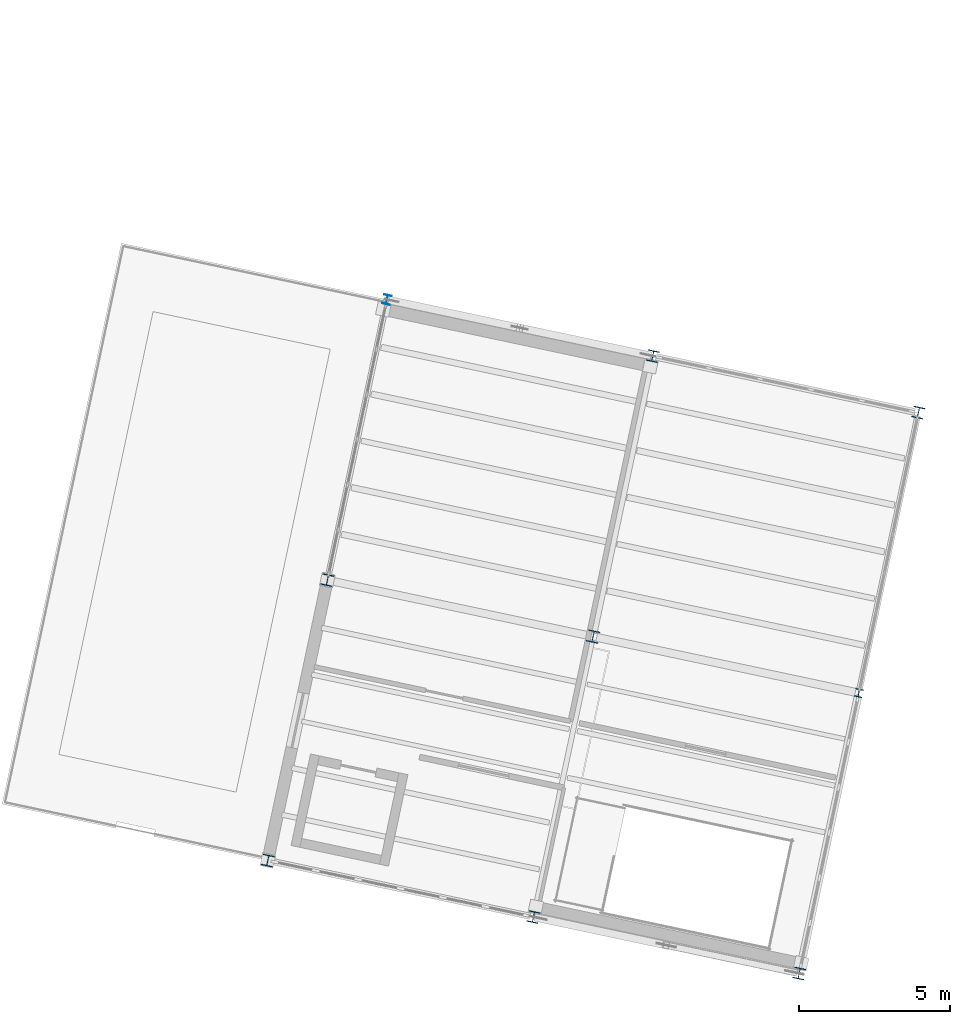
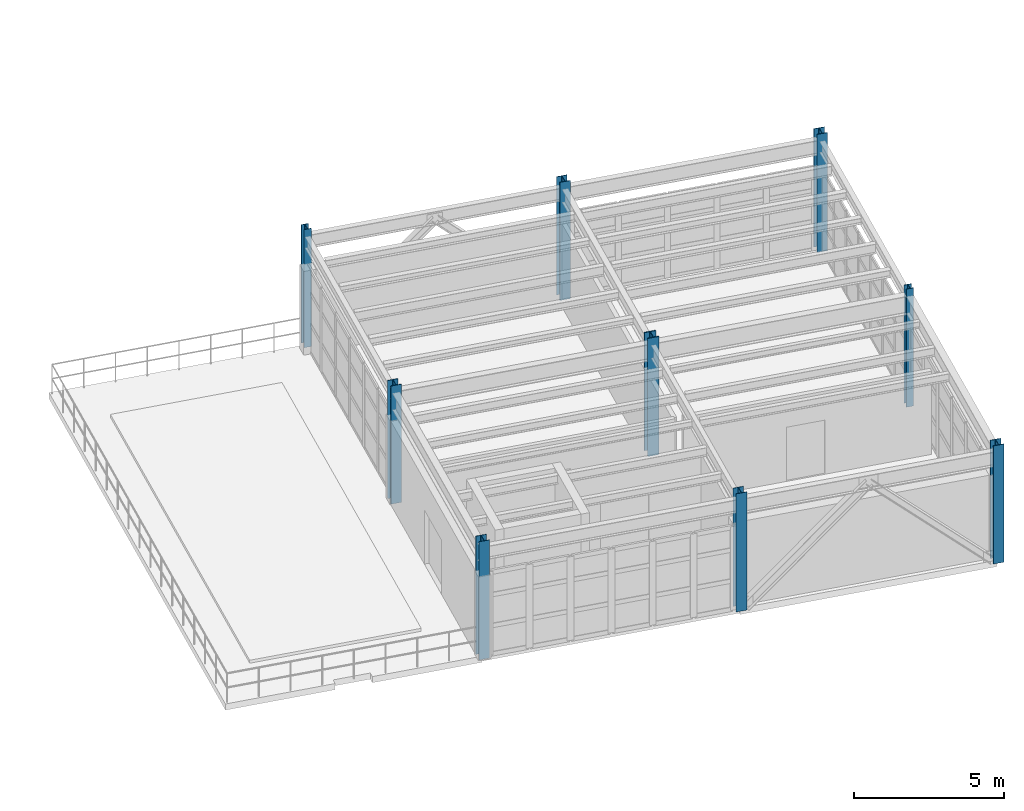
# One storey, part 17 of 109: 9 columns.
"""IFC4 building model written with IfcOpenShell, lengths in metres."""

from ifc_helpers import new_model, si_unit, direction, frame, origin, origin_2d, place, context, subcontext, project, spatial, i_section, extrude, material, material_profile, profile_set, type_object, element, save


model = new_model("IFC4")

# Units and contexts
model_context = context("Model", 3, precision=1e-05, world=origin(), true_north=direction((0.0, 1.0)))
body_context = subcontext(model_context, "Body", "Model", "MODEL_VIEW")
ifc_project = project(units=[si_unit("LENGTHUNIT", "METRE"), si_unit("AREAUNIT", "SQUARE_METRE"), si_unit("VOLUMEUNIT", "CUBIC_METRE"), si_unit("PLANEANGLEUNIT", "RADIAN"), si_unit("MASSUNIT", "GRAM", prefix="KILO")], contexts=[model_context])

# Site, building, storey
site_placement = place(None, origin())
site = spatial("IfcSite", under=ifc_project, at=site_placement, CompositionType="ELEMENT")
building_placement = place(site_placement, origin())
building = spatial("IfcBuilding", under=site, at=building_placement, Name="Vireo Bluff Cable Station", CompositionType="ELEMENT")
storey_placement = place(building_placement, frame((0.0, 0.0, 4.800048828125)))
storey = spatial("IfcBuildingStorey", under=building, at=storey_placement, Name="L01", CompositionType="ELEMENT", Elevation=4.800048828125)

# Columns
ifc_material = material(Name="Steel ASTM A992 Gr. 50", Category="steel")
ifc_material_profile_1 = material_profile(ifc_material, i_section(OverallWidth=0.40087890625, OverallDepth=0.39404296875, WebThickness=0.022705078125, FlangeThickness=0.03662109375, FilletRadius=0.014892578125, at=origin_2d()), Name="W14X193")
ifc_profile_set_1 = profile_set([ifc_material_profile_1], Name="Steel ASTM A992 Gr. 50")
column_type_1 = type_object("IfcColumnType", Name="COL-W14X193", PredefinedType="COLUMN", material=ifc_profile_set_1)
column_1_placement = place(storey_placement, frame((149.581787109375, 15.550048828125, 0.0), z_axis=(0.0, 0.0, 1.0), x_axis=(0.978147600734, -0.207911690818, 0.0)))
element("IfcColumn", 1, at=column_1_placement, inside=storey, type_object=column_type_1, Name="V5E L01 column 398", PredefinedType="COLUMN", context=body_context, shape_type="SweptSolid", body=[
    extrude(i_section(OverallWidth=0.40087890625, OverallDepth=0.39404296875, WebThickness=0.022705078125, FlangeThickness=0.03662109375, FilletRadius=0.014892578125, at=origin_2d()), origin(), (0.0, 0.0, 1.0), 4.800048828125),
])
ifc_material_profile_2 = material_profile(ifc_material, i_section(OverallWidth=0.3701171875, OverallDepth=0.360107421875, WebThickness=0.01220703125, FlangeThickness=0.019775390625, FilletRadius=0.014892578125, at=origin_2d()), Name="W14X99")
ifc_profile_set_2 = profile_set([ifc_material_profile_2], Name="Steel ASTM A992 Gr. 50")
column_type_2 = type_object("IfcColumnType", Name="ECOL-W14X99", PredefinedType="COLUMN", material=ifc_profile_set_2)
for number, where, z_axis, x_axis, name in (
    (2, (138.80322265625, 8.12890625, 0.0), (0.0, 0.0, 1.0), (0.978147600734, -0.207911690818, 0.0), "V5E L01 column 390"),
    (3, (140.778564453125, 17.421142578125, 0.0), (0.0, 0.0, 1.0), (0.978147600734, -0.207911690818, 0.0), "V5E L01 column 392"),
    (4, (147.606689453125, 6.257568359375, 0.0), (0.0, 0.0, 1.0), (0.978147600734, -0.207911690818, 0.0), "V5E L01 column 396"),
    (5, (151.556884765625, 24.84228515625, 0.0), (0.0, 0.0, 1.0), (0.978147600734, -0.207911690818, 0.0), "V5E L01 column 400"),
    (6, (156.409912109375, 4.386474609375, 0.0), (0.0, 0.0, 1.0), (0.978147600734, -0.207911690818, 0.0), "V5E L01 column 402"),
    (7, (160.3603515625, 22.97119140625, 0.0), (0.0, 0.0, 1.0), (0.978147600734, -0.207911690818, 0.0), "V5E L01 column 406"),
):
    element("IfcColumn", number, at=place(storey_placement, frame(where, z_axis=z_axis, x_axis=x_axis)), inside=storey, type_object=column_type_2, Name=name, PredefinedType="COLUMN", context=body_context, shape_type="SweptSolid", body=[
        extrude(i_section(OverallWidth=0.3701171875, OverallDepth=0.360107421875, WebThickness=0.01220703125, FlangeThickness=0.019775390625, FilletRadius=0.014892578125, at=origin_2d()), origin(), (0.0, 0.0, 1.0), 4.800048828125),
    ])
ifc_material_profile_3 = material_profile(ifc_material, i_section(OverallWidth=0.257080078125, OverallDepth=0.263916015625, WebThickness=0.011962890625, FlangeThickness=0.01953125, FilletRadius=0.009033203125, at=origin_2d()), Name="W10X68")
ifc_profile_set_3 = profile_set([ifc_material_profile_3], Name="Steel ASTM A992 Gr. 50")
column_type_3 = type_object("IfcColumnType", Name="PIL-W10X68", PredefinedType="PILASTER", material=ifc_profile_set_3)
column_2_placement = place(storey_placement, frame((158.38525390625, 13.6787109375, 0.0), z_axis=(0.0, 0.0, 1.0), x_axis=(0.978147600734, -0.207911690818, 0.0)))
element("IfcColumn", 8, at=column_2_placement, inside=storey, type_object=column_type_3, Name="V5E L01 column 404", PredefinedType="PILASTER", context=body_context, shape_type="SweptSolid", body=[
    extrude(i_section(OverallWidth=0.257080078125, OverallDepth=0.263916015625, WebThickness=0.011962890625, FlangeThickness=0.01953125, FilletRadius=0.009033203125, at=origin_2d()), origin(), (0.0, 0.0, 1.0), 4.800048828125),
])
ifc_material_profile_4 = material_profile(ifc_material, i_section(OverallWidth=0.25390625, OverallDepth=0.31005859375, WebThickness=0.009033203125, FlangeThickness=0.016357421875, FilletRadius=0.010986328125, at=origin_2d()), Name="W12X58")
ifc_profile_set_4 = profile_set([ifc_material_profile_4], Name="Steel ASTM A992 Gr. 50")
column_type_4 = type_object("IfcColumnType", Name="PIL-W12X58", PredefinedType="PILASTER", material=ifc_profile_set_4)
column_3_placement = place(storey_placement, frame((142.753662109375, 26.713623046875, 0.0), z_axis=(0.0, 0.0, 1.0), x_axis=(0.978147600734, -0.207911690818, 0.0)))
element("IfcColumn", 9, at=column_3_placement, inside=storey, type_object=column_type_4, Name="V5E L01 column 394", PredefinedType="PILASTER", context=body_context, shape_type="SweptSolid", body=[
    extrude(i_section(OverallWidth=0.25390625, OverallDepth=0.31005859375, WebThickness=0.009033203125, FlangeThickness=0.016357421875, FilletRadius=0.010986328125, at=origin_2d()), origin(), (0.0, 0.0, 1.0), 4.800048828125),
])

save(model, "model.ifc")
